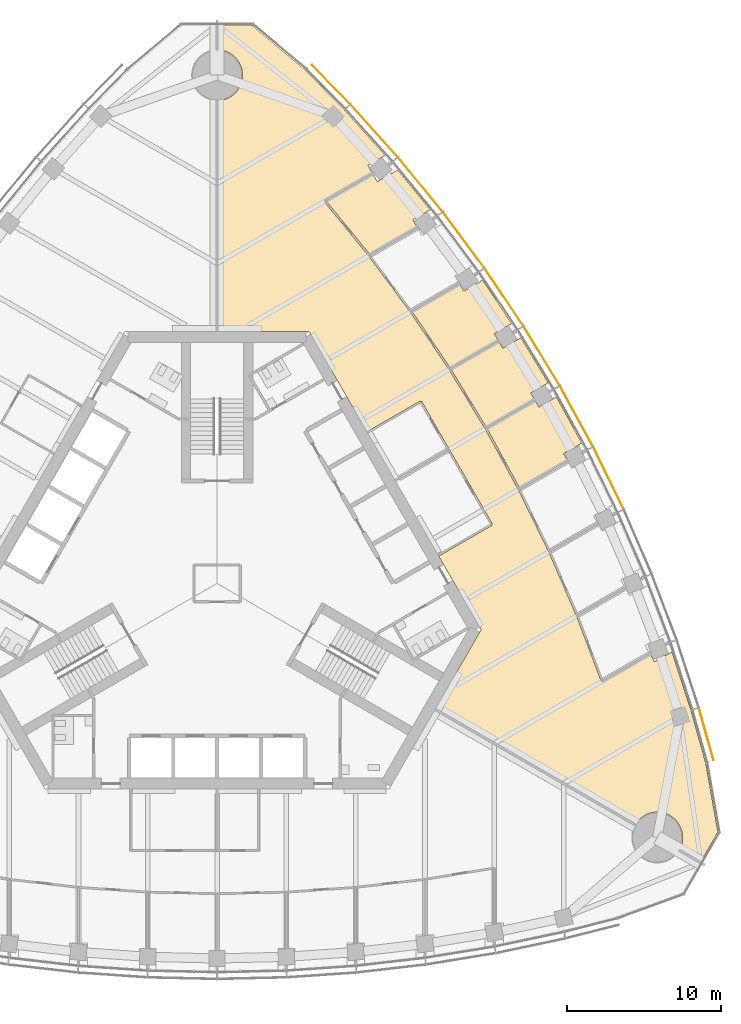
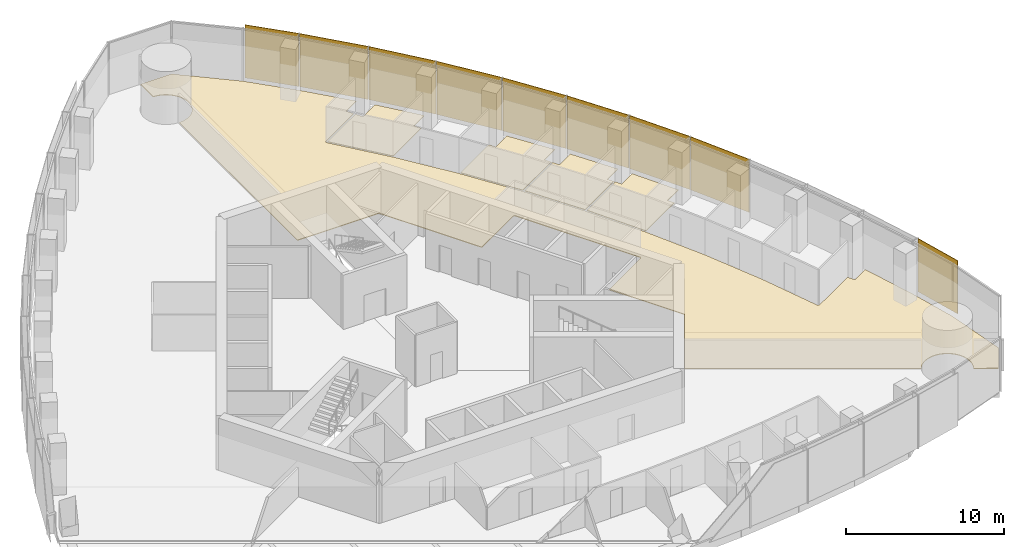
# One storey, part 17 of 19: 9 shading devices, 5 coverings.
"""IFC4 building model written with IfcOpenShell, lengths in metres."""

from ifc_helpers import new_model, si_unit, direction, frame, origin, origin_2d, place, context, subcontext, project, spatial, polyline, rectangle, outline, extrude, material, layer, layer_set, type_object, element, save


model = new_model("IFC4")

# Units and contexts
model_context = context("Model", 3, precision=1e-05, world=origin(), true_north=direction((0.0, 1.0)))
body_context = subcontext(model_context, "Body", "Model", "MODEL_VIEW")
ifc_project = project(units=[si_unit("LENGTHUNIT", "METRE"), si_unit("AREAUNIT", "SQUARE_METRE"), si_unit("VOLUMEUNIT", "CUBIC_METRE"), si_unit("PLANEANGLEUNIT", "RADIAN"), si_unit("MASSUNIT", "GRAM", prefix="KILO")], contexts=[model_context])

# Site, building, storey
site_placement = place(None, origin())
site = spatial("IfcSite", under=ifc_project, at=site_placement, CompositionType="ELEMENT")
building_placement = place(site_placement, origin())
building = spatial("IfcBuilding", under=site, at=building_placement, Name="Trefoil Bronze Tower", CompositionType="ELEMENT")
storey_placement = place(building_placement, frame((0.0, 0.0, 235.89990234375)))
storey = spatial("IfcBuildingStorey", under=building, at=storey_placement, Name="L54", CompositionType="ELEMENT", Elevation=235.89990234375)

# Shading devices
ifc_material_1 = material(Name="Perforated bronze sheet", Category="bronze")
ifc_layer_1 = layer(ifc_material_1, 0.0400390625)
ifc_layer_set_1 = layer_set([ifc_layer_1], Name="Bronze solar screen panel")
shading_device_type = type_object("IfcShadingDeviceType", Name="Bronze solar screen panel", PredefinedType="SHUTTER", material=ifc_layer_set_1)
shading_device_1_placement = place(storey_placement, frame((31.764892578125, -9.7890625, 0.050048828125), z_axis=(0.0, 0.0, 1.0), x_axis=(-0.270282222968, 0.962781138134, 0.0)))
element("IfcShadingDevice", 1, at=shading_device_1_placement, inside=storey, type_object=shading_device_type, Name="Solar screen CW-A L54 F2 bay 1", PredefinedType="SHUTTER", context=body_context, shape_type="SweptSolid", body=[
    extrude(rectangle(XDim=3.53369140625, YDim=0.0400390625, at=origin_2d()), origin(), (0.0, 0.0, 1.0), 4.10009765625),
])
shading_device_2_placement = place(storey_placement, frame((25.4169921875, 6.83740234375, 0.050048828125), z_axis=(0.0, 0.0, 1.0), x_axis=(-0.439129033334, 0.898424004623, 0.0)))
element("IfcShadingDevice", 2, at=shading_device_2_placement, inside=storey, type_object=shading_device_type, Name="Solar screen CW-A L54 F2 bay 5", PredefinedType="SHUTTER", context=body_context, shape_type="SweptSolid", body=[
    extrude(rectangle(XDim=4.480712890625, YDim=0.0400390625, at=origin_2d()), origin(), (0.0, 0.0, 1.0), 4.10009765625),
])
for number, where, z_axis, x_axis, name in (
    (3, (23.3349609375, 10.860107421875, 0.050048828125), (0.0, 0.0, 1.0), (-0.479974003504, 0.877282711536, 0.0), "Solar screen CW-A L54 F2 bay 6"),
    (4, (21.07275390625, 14.77880859375, 0.050048828125), (0.0, 0.0, 1.0), (-0.519762112739, 0.854311035959, 0.0), "Solar screen CW-A L54 F2 bay 7"),
):
    element("IfcShadingDevice", number, at=place(storey_placement, frame(where, z_axis=z_axis, x_axis=x_axis)), inside=storey, type_object=shading_device_type, Name=name, PredefinedType="SHUTTER", context=body_context, shape_type="SweptSolid", body=[
        extrude(rectangle(XDim=4.47119140625, YDim=0.0400390625, at=origin_2d()), origin(), (0.0, 0.0, 1.0), 4.10009765625),
    ])
shading_device_3_placement = place(storey_placement, frame((18.6298828125, 18.59326171875, 0.050048828125), z_axis=(0.0, 0.0, 1.0), x_axis=(-0.558493494706, 0.829508900718, 0.0)))
element("IfcShadingDevice", 5, at=shading_device_3_placement, inside=storey, type_object=shading_device_type, Name="Solar screen CW-A L54 F2 bay 8", PredefinedType="SHUTTER", context=body_context, shape_type="SweptSolid", body=[
    extrude(rectangle(XDim=4.480712890625, YDim=0.0400390625, at=origin_2d()), origin(), (0.0, 0.0, 1.0), 4.10009765625),
])
shading_device_4_placement = place(storey_placement, frame((16.005615234375, 22.302734375, 0.050048828125), z_axis=(0.0, 0.0, 1.0), x_axis=(-0.596161525977, 0.802864518425, 0.0)))
element("IfcShadingDevice", 6, at=shading_device_4_placement, inside=storey, type_object=shading_device_type, Name="Solar screen CW-A L54 F2 bay 9", PredefinedType="SHUTTER", context=body_context, shape_type="SweptSolid", body=[
    extrude(rectangle(XDim=4.5, YDim=0.0400390625, at=origin_2d()), origin(), (0.0, 0.0, 1.0), 4.10009765625),
])
shading_device_5_placement = place(storey_placement, frame((13.197509765625, 25.90625, 0.050048828125), z_axis=(0.0, 0.0, 1.0), x_axis=(-0.63275261301, 0.774354008661, 0.0)))
element("IfcShadingDevice", 7, at=shading_device_5_placement, inside=storey, type_object=shading_device_type, Name="Solar screen CW-A L54 F2 bay 10", PredefinedType="SHUTTER", context=body_context, shape_type="SweptSolid", body=[
    extrude(rectangle(XDim=4.529296875, YDim=0.0400390625, at=origin_2d()), origin(), (0.0, 0.0, 1.0), 4.10009765625),
])
shading_device_6_placement = place(storey_placement, frame((10.20166015625, 29.401611328125, 0.050048828125), z_axis=(0.0, 0.0, 1.0), x_axis=(-0.668245744076, 0.743940606181, 0.0)))
element("IfcShadingDevice", 8, at=shading_device_6_placement, inside=storey, type_object=shading_device_type, Name="Solar screen CW-A L54 F2 bay 11", PredefinedType="SHUTTER", context=body_context, shape_type="SweptSolid", body=[
    extrude(rectangle(XDim=4.5693359375, YDim=0.0400390625, at=origin_2d()), origin(), (0.0, 0.0, 1.0), 4.10009765625),
])
shading_device_7_placement = place(storey_placement, frame((7.40478515625, 32.40380859375, 0.050048828125), z_axis=(0.0, 0.0, 1.0), x_axis=(-0.698651812425, 0.715461840349, 0.0)))
element("IfcShadingDevice", 9, at=shading_device_7_placement, inside=storey, type_object=shading_device_type, Name="Solar screen CW-A L54 F2 bay 12", PredefinedType="SHUTTER", context=body_context, shape_type="SweptSolid", body=[
    extrude(rectangle(XDim=3.53369140625, YDim=0.0400390625, at=origin_2d()), origin(), (0.0, 0.0, 1.0), 4.10009765625),
])

# Coverings
ifc_material_2 = material(Name="Raised access floor panels", Category="steel")
ifc_layer_2 = layer(ifc_material_2, 0.050048828125)
ifc_layer_set_2 = layer_set([ifc_layer_2], Name="Raised access floor 150")
covering_type = type_object("IfcCoveringType", Name="Raised access floor 150", PredefinedType="FLOORING", material=ifc_layer_set_2)
covering_1_placement = place(storey_placement, frame((0.0, 0.0, 0.10009765625)))
element("IfcCovering", 10, at=covering_1_placement, inside=storey, type_object=covering_type, Name="Raised floor L54 Office F2", PredefinedType="FLOORING", context=body_context, shape_type="SweptSolid", body=[
    extrude(outline(polyline([(13.84130859375, 24.264892578125), (12.71142578125, 23.61279296875), (12.978271484375, 23.150634765625), (9.90576171875, 21.376708984375), (7.097900390625, 24.813232421875), (10.130615234375, 26.564208984375), (10.4072265625, 26.084716796875), (11.730224609375, 26.848388671875), (13.84130859375, 24.264892578125)])), origin(), (0.0, 0.0, 1.0), 0.050048828125),
])
covering_2_placement = place(storey_placement, frame((0.0, 0.0, 0.10009765625)))
element("IfcCovering", 11, at=covering_2_placement, inside=storey, type_object=covering_type, Name="Raised floor L54 Office F2", PredefinedType="FLOORING", context=body_context, shape_type="SweptSolid", body=[
    extrude(outline(polyline([(19.1337890625, 16.877685546875), (17.997314453125, 16.221435546875), (18.27197265625, 15.74560546875), (18.266845703125, 15.742431640625), (18.23681640625, 15.79443359375), (15.1298828125, 14.000732421875), (12.677978515625, 17.642578125), (15.760986328125, 19.422607421875), (16.01708984375, 18.979248046875), (17.24267578125, 19.686767578125), (19.1337890625, 16.877685546875)])), origin(), (0.0, 0.0, 1.0), 0.050048828125),
])
covering_3_placement = place(storey_placement, frame((0.0, 0.0, 0.10009765625)))
element("IfcCovering", 12, at=covering_3_placement, inside=storey, type_object=covering_type, Name="Raised floor L54 Office F2", PredefinedType="FLOORING", context=body_context, shape_type="SweptSolid", body=[
    extrude(outline(polyline([(20.607666015625, 11.897705078125), (20.57763671875, 11.94970703125), (17.4716796875, 10.156494140625), (15.194580078125, 13.8994140625), (18.296875, 15.690673828125), (18.266845703125, 15.742431640625), (18.27197265625, 15.74560546875), (18.546875, 15.26953125), (19.727294921875, 15.951171875), (21.507568359375, 13.02490234375), (20.36962890625, 12.367919921875), (20.6328125, 11.912353515625), (20.607666015625, 11.897705078125)])), origin(), (0.0, 0.0, 1.0), 0.050048828125),
])
covering_4_placement = place(storey_placement, frame((0.0, 0.0, 0.10009765625)))
element("IfcCovering", 13, at=covering_4_placement, inside=storey, type_object=covering_type, Name="Raised floor L54 Office F2", PredefinedType="FLOORING", context=body_context, shape_type="SweptSolid", body=[
    extrude(outline(polyline([(22.766845703125, 7.9482421875), (22.73681640625, 8.000244140625), (19.634521484375, 6.209228515625), (17.53173828125, 10.052734375), (20.6376953125, 11.845947265625), (20.607666015625, 11.897705078125), (20.6328125, 11.912353515625), (20.895751953125, 11.456787109375), (22.03369140625, 12.11376953125), (23.677734375, 9.10888671875), (22.497314453125, 8.42724609375), (22.77197265625, 7.951416015625), (22.766845703125, 7.9482421875)])), origin(), (0.0, 0.0, 1.0), 0.050048828125),
])
covering_5_placement = place(storey_placement, frame((0.0, 0.0, 0.10009765625)))
element("IfcCovering", 14, at=covering_5_placement, inside=storey, type_object=covering_type, Name="Raised floor L54 Open-plan office F2", PredefinedType="FLOORING", context=body_context, shape_type="SweptSolid", body=[
    extrude(outline(polyline([(5.7734375, 33.30126953125), (8.26318359375, 30.751708984375), (10.91748046875, 27.796630859375), (9.793701171875, 27.147705078125), (10.070556640625, 26.668212890625), (6.976806640625, 24.8818359375), (7.006591796875, 24.829833984375), (6.960205078125, 24.7919921875), (9.84423828125, 21.262451171875), (12.543212890625, 17.627685546875), (15.060791015625, 13.888427734375), (17.39892578125, 10.04541015625), (19.55810546875, 6.098876953125), (21.53759765625, 2.048828125), (23.3359375, -2.10595703125), (24.95068359375, -6.368408203125), (25.006591796875, -6.346923828125), (25.03662109375, -6.39892578125), (28.130615234375, -4.61279296875), (28.4072265625, -5.09228515625), (29.531494140625, -4.443359375), (30.76318359375, -8.219482421875), (31.7265625, -11.650634765625), (32.518310546875, -16.1416015625), (31.385009765625, -18.1044921875), (30.013916015625, -17.3134765625), (30.033935546875, -17.27783203125), (30.0703125, -17.20556640625), (30.103271484375, -17.13134765625), (30.13232421875, -17.055908203125), (30.15771484375, -16.97900390625), (30.179443359375, -16.90087890625), (30.197021484375, -16.822021484375), (30.2109375, -16.7421875), (30.220947265625, -16.66162109375), (30.226806640625, -16.5810546875), (30.228759765625, -16.5), (30.226806640625, -16.4189453125), (30.220947265625, -16.33837890625), (30.2109375, -16.2578125), (30.197021484375, -16.177978515625), (30.179443359375, -16.09912109375), (30.15771484375, -16.02099609375), (30.13232421875, -15.944091796875), (30.103271484375, -15.86865234375), (30.0703125, -15.79443359375), (30.033935546875, -15.72216796875), (29.994140625, -15.651611328125), (29.95068359375, -15.583251953125), (29.904052734375, -15.51708984375), (29.854248046875, -15.453369140625), (29.801513671875, -15.391845703125), (29.74560546875, -15.333251953125), (29.68701171875, -15.27734375), (29.62548828125, -15.224609375), (29.561767578125, -15.1748046875), (29.49560546875, -15.128173828125), (29.427001953125, -15.084716796875), (29.356689453125, -15.044921875), (29.2841796875, -15.00830078125), (29.210205078125, -14.9755859375), (29.134765625, -14.946533203125), (29.057861328125, -14.9208984375), (28.979736328125, -14.8994140625), (28.900634765625, -14.881591796875), (28.82080078125, -14.867919921875), (28.740478515625, -14.85791015625), (28.659912109375, -14.85205078125), (28.578857421875, -14.85009765625), (28.497802734375, -14.85205078125), (28.4169921875, -14.85791015625), (28.336669921875, -14.867919921875), (28.2568359375, -14.881591796875), (28.177978515625, -14.8994140625), (28.099853515625, -14.9208984375), (28.02294921875, -14.946533203125), (27.947509765625, -14.9755859375), (27.873291015625, -15.00830078125), (27.801025390625, -15.044921875), (27.730712890625, -15.084716796875), (27.662109375, -15.128173828125), (27.595947265625, -15.1748046875), (27.531982421875, -15.224609375), (27.470703125, -15.27734375), (27.412109375, -15.333251953125), (27.356201171875, -15.391845703125), (27.303466796875, -15.453369140625), (27.25341796875, -15.51708984375), (27.206787109375, -15.583251953125), (27.156005859375, -15.6650390625), (14.16259765625, -8.169677734375), (17.147216796875, -3.0), (14.391357421875, 1.773193359375), (17.85546875, 3.773193359375), (17.825439453125, 3.8251953125), (17.87744140625, 3.855224609375), (13.277587890625, 11.82275390625), (13.2255859375, 11.792724609375), (13.195556640625, 11.8447265625), (9.7314453125, 9.8447265625), (5.9755859375, 16.35009765625), (0.006103515625, 16.35009765625), (0.01171875, 31.350341796875), (0.0810546875, 31.35205078125), (0.16162109375, 31.35791015625), (0.2421875, 31.367919921875), (0.322021484375, 31.381591796875), (0.40087890625, 31.3994140625), (0.47900390625, 31.4208984375), (0.555908203125, 31.446533203125), (0.63134765625, 31.4755859375), (0.70556640625, 31.50830078125), (0.77783203125, 31.544921875), (0.848388671875, 31.584716796875), (0.916748046875, 31.628173828125), (0.98291015625, 31.6748046875), (1.046630859375, 31.724609375), (1.108154296875, 31.77734375), (1.166748046875, 31.833251953125), (1.22265625, 31.891845703125), (1.275390625, 31.953369140625), (1.3251953125, 32.01708984375), (1.371826171875, 32.083251953125), (1.415283203125, 32.151611328125), (1.455078125, 32.22216796875), (1.49169921875, 32.29443359375), (1.5244140625, 32.36865234375), (1.553466796875, 32.444091796875), (1.5791015625, 32.52099609375), (1.6005859375, 32.59912109375), (1.618408203125, 32.677978515625), (1.632080078125, 32.7578125), (1.64208984375, 32.83837890625), (1.64794921875, 32.9189453125), (1.64990234375, 33.0), (1.64794921875, 33.0810546875), (1.64208984375, 33.16162109375), (1.632080078125, 33.2421875), (1.618408203125, 33.322021484375), (1.6005859375, 33.40087890625), (1.5791015625, 33.47900390625), (1.553466796875, 33.555908203125), (1.5244140625, 33.63134765625), (1.49169921875, 33.70556640625), (1.455078125, 33.77783203125), (1.415283203125, 33.848388671875), (1.371826171875, 33.916748046875), (1.3251953125, 33.98291015625), (1.275390625, 34.046630859375), (1.22265625, 34.108154296875), (1.166748046875, 34.166748046875), (1.108154296875, 34.22265625), (1.046630859375, 34.275390625), (0.98291015625, 34.3251953125), (0.916748046875, 34.371826171875), (0.848388671875, 34.415283203125), (0.77783203125, 34.455078125), (0.70556640625, 34.49169921875), (0.63134765625, 34.5244140625), (0.555908203125, 34.553466796875), (0.47900390625, 34.5791015625), (0.40087890625, 34.6005859375), (0.322021484375, 34.618408203125), (0.2421875, 34.632080078125), (0.16162109375, 34.64208984375), (0.0810546875, 34.64794921875), (0.012939453125, 34.649658203125), (0.013671875, 36.232666015625), (2.280029296875, 36.232666015625), (5.7734375, 33.30126953125)])), origin(), (0.0, 0.0, 1.0), 0.050048828125),
])

save(model, "model.ifc")
